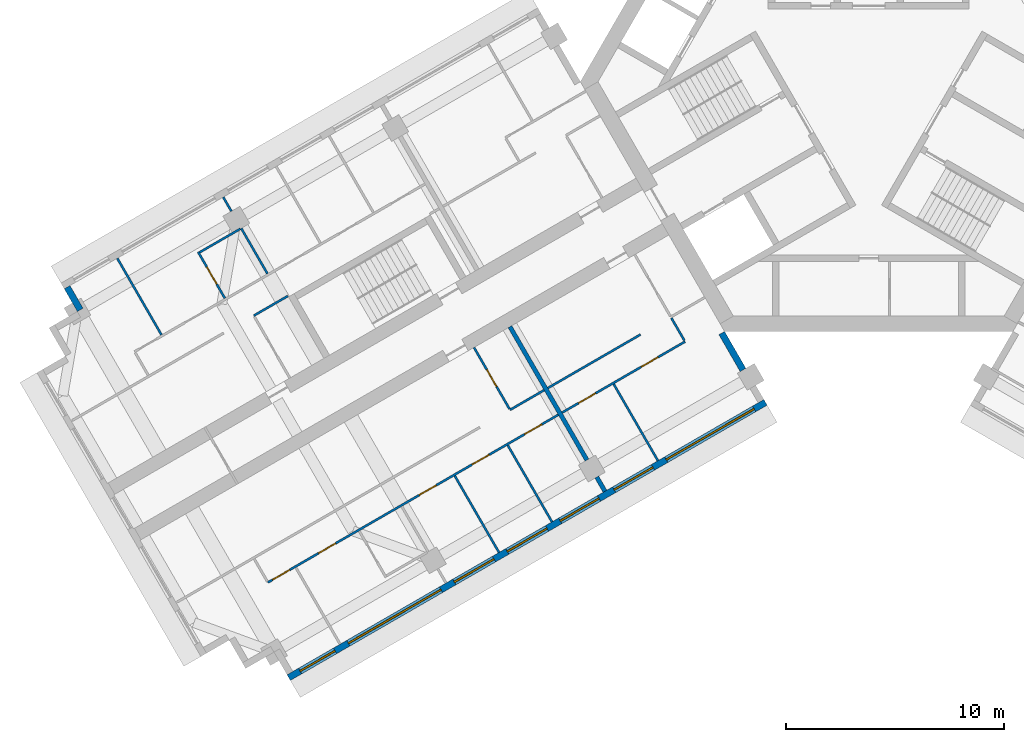
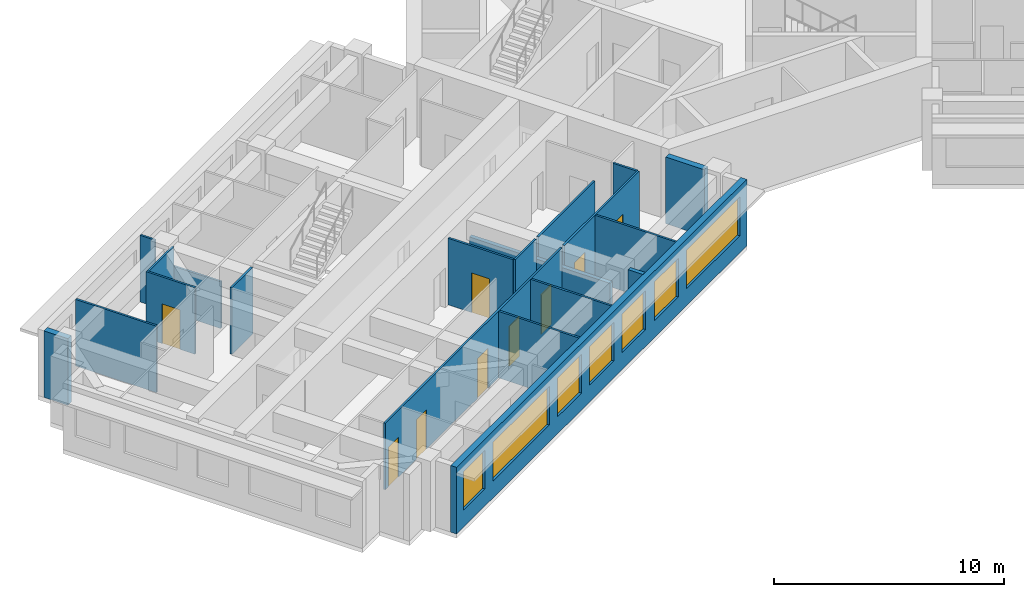
# One storey, part 3 of 12: 20 walls, 9 doors, 7 windows, 16 openings.
"""IFC4 building model written with IfcOpenShell, lengths in metres."""

from ifc_helpers import new_model, si_unit, direction, frame, frame_2d, origin, place, context, subcontext, project, spatial, rectangle, extrude, material, layer, layer_set, type_object, element, fill, save


model = new_model("IFC4")

# Units and contexts
model_context = context("Model", 3, precision=1e-05, world=origin(), true_north=direction((0.0, 1.0)))
body_context = subcontext(model_context, "Body", "Model", "MODEL_VIEW")
ifc_project = project(units=[si_unit("LENGTHUNIT", "METRE"), si_unit("AREAUNIT", "SQUARE_METRE"), si_unit("VOLUMEUNIT", "CUBIC_METRE"), si_unit("PLANEANGLEUNIT", "RADIAN"), si_unit("MASSUNIT", "GRAM", prefix="KILO")], contexts=[model_context])

# Site, building, storey
site_placement = place(None, origin())
site = spatial("IfcSite", under=ifc_project, at=site_placement, CompositionType="ELEMENT")
building_placement = place(site_placement, origin())
building = spatial("IfcBuilding", under=site, at=building_placement, Name="Impinga Residences", CompositionType="ELEMENT")
storey_placement = place(building_placement, frame((0.0, 0.0, 214.75)))
storey = spatial("IfcBuildingStorey", under=building, at=storey_placement, Name="L53", CompositionType="ELEMENT", Elevation=214.75)

# Walls
ifc_material_1 = material(Name="Terracotta rainscreen on blockwork", Category="masonry")
ifc_layer_1 = layer(ifc_material_1, 0.300048828125)
ifc_layer_set_1 = layer_set([ifc_layer_1], Name="EW1 external wall, terracotta rainscreen on blockwork 300")
wall_type_1 = type_object("IfcWallType", Name="EW1 external wall, terracotta rainscreen on blockwork 300", PredefinedType="SOLIDWALL", material=ifc_layer_set_1)
wall_1_placement = place(storey_placement, frame((-36.093994140625, -10.446533203125, 0.0), z_axis=(0.0, 0.0, 1.0), x_axis=(-0.499880961361, 0.866094119867, 0.0)))
element("IfcWall", 1, at=wall_1_placement, inside=storey, type_object=wall_type_1, Name="External wall EW1 L53", PredefinedType="SOLIDWALL", context=body_context, shape_type="SweptSolid", body=[
    extrude(rectangle(XDim=1.199951171875, YDim=0.300048828125, at=frame_2d((0.60009765625, 0.0))), origin(), (0.0, 0.0, 1.0), 3.530029296875),
])
wall_2_placement = place(storey_placement, frame((-6.72998046875, -11.506591796875, 0.0), z_axis=(0.0, 0.0, 1.0), x_axis=(0.500043961785, -0.866000020948, 0.0)))
element("IfcWall", 2, at=wall_2_placement, inside=storey, type_object=wall_type_1, Name="External wall EW1 L53", PredefinedType="SOLIDWALL", context=body_context, shape_type="SweptSolid", body=[
    extrude(rectangle(XDim=1.949951171875, YDim=0.300048828125, at=frame_2d((0.97509765625, 0.0))), origin(), (0.0, 0.0, 1.0), 3.530029296875),
])

# Wall, openings, windows
wall_3_placement = place(storey_placement, frame((-4.72509765625, -14.67919921875, 0.0), z_axis=(0.0, 0.0, 1.0), x_axis=(-0.866026832479, -0.499997525421, 0.0)))
wall_3 = element("IfcWall", 3, at=wall_3_placement, inside=storey, type_object=wall_type_1, Name="External wall EW1 L53", PredefinedType="SOLIDWALL", context=body_context, shape_type="SweptSolid", body=[
    extrude(rectangle(XDim=25.199951171875, YDim=0.300048828125, at=frame_2d((12.60009765625, 0.0))), origin(), (0.0, 0.0, 1.0), 3.530029296875),
])
opening_1_placement = place(wall_3_placement, frame((0.60009765625, 0.0, 0.89990234375)))
opening_1 = element("IfcOpeningElement", 4, at=opening_1_placement, cuts=wall_3, Name="Opening W10", PredefinedType="OPENING", context=body_context, shape_type="SweptSolid", body=[
    extrude(rectangle(XDim=4.64990234375, YDim=2.050048828125, at=frame_2d((2.324951171875, 1.02490234375))), frame((0.0, 0.159912109375, 0.0), z_axis=(0.0, -1.0, 0.0), x_axis=(1.0, 0.0, 0.0)), (0.0, 0.0, 1.0), 0.320068359375),
])
opening_2_placement = place(wall_3_placement, frame((5.949951171875, 0.0, 0.89990234375)))
opening_2 = element("IfcOpeningElement", 5, at=opening_2_placement, cuts=wall_3, Name="Opening W14", PredefinedType="OPENING", context=body_context, shape_type="SweptSolid", body=[
    extrude(rectangle(XDim=2.050048828125, YDim=2.050048828125, at=frame_2d((1.02490234375, 1.02490234375))), frame((0.0, 0.159912109375, 0.0), z_axis=(0.0, -1.0, 0.0), x_axis=(1.0, 0.0, 0.0)), (0.0, 0.0, 1.0), 0.320068359375),
])
opening_3_placement = place(wall_3_placement, frame((8.800048828125, 0.0, 0.89990234375)))
opening_3 = element("IfcOpeningElement", 6, at=opening_3_placement, cuts=wall_3, Name="Opening W14", PredefinedType="OPENING", context=body_context, shape_type="SweptSolid", body=[
    extrude(rectangle(XDim=2.050048828125, YDim=2.050048828125, at=frame_2d((1.02490234375, 1.02490234375))), frame((0.0, 0.159912109375, 0.0), z_axis=(0.0, -1.0, 0.0), x_axis=(1.0, 0.0, 0.0)), (0.0, 0.0, 1.0), 0.320068359375),
])
opening_4_placement = place(wall_3_placement, frame((11.550048828125, 0.0, 0.89990234375)))
opening_4 = element("IfcOpeningElement", 7, at=opening_4_placement, cuts=wall_3, Name="Opening W9", PredefinedType="OPENING", context=body_context, shape_type="SweptSolid", body=[
    extrude(rectangle(XDim=2.10009765625, YDim=2.050048828125, at=frame_2d((1.050048828125, 1.02490234375))), frame((0.0, 0.159912109375, 0.0), z_axis=(0.0, -1.0, 0.0), x_axis=(1.0, 0.0, 0.0)), (0.0, 0.0, 1.0), 0.320068359375),
])
opening_5_placement = place(wall_3_placement, frame((14.35009765625, 0.0, 0.89990234375)))
opening_5 = element("IfcOpeningElement", 8, at=opening_5_placement, cuts=wall_3, Name="Opening W9", PredefinedType="OPENING", context=body_context, shape_type="SweptSolid", body=[
    extrude(rectangle(XDim=2.10009765625, YDim=2.050048828125, at=frame_2d((1.050048828125, 1.02490234375))), frame((0.0, 0.159912109375, 0.0), z_axis=(0.0, -1.0, 0.0), x_axis=(1.0, 0.0, 0.0)), (0.0, 0.0, 1.0), 0.320068359375),
])
opening_6_placement = place(wall_3_placement, frame((17.14990234375, 0.0, 0.89990234375)))
opening_6 = element("IfcOpeningElement", 9, at=opening_6_placement, cuts=wall_3, Name="Opening W16", PredefinedType="OPENING", context=body_context, shape_type="SweptSolid", body=[
    extrude(rectangle(XDim=4.89990234375, YDim=2.050048828125, at=frame_2d((2.449951171875, 1.02490234375))), frame((0.0, 0.159912109375, 0.0), z_axis=(0.0, -1.0, 0.0), x_axis=(1.0, 0.0, 0.0)), (0.0, 0.0, 1.0), 0.320068359375),
])
opening_7_placement = place(wall_3_placement, frame((22.75, 0.0, 0.89990234375)))
opening_7 = element("IfcOpeningElement", 10, at=opening_7_placement, cuts=wall_3, Name="Opening W15", PredefinedType="OPENING", context=body_context, shape_type="SweptSolid", body=[
    extrude(rectangle(XDim=1.85009765625, YDim=2.050048828125, at=frame_2d((0.925048828125, 1.02490234375))), frame((0.0, 0.159912109375, 0.0), z_axis=(0.0, -1.0, 0.0), x_axis=(1.0, 0.0, 0.0)), (0.0, 0.0, 1.0), 0.320068359375),
])
ifc_material_2 = material(Name="Aluminium window, clear double glazing", Category="aluminium")
window_type_1 = type_object("IfcWindowType", Name="W10 ribbon window 4650x2050", PartitioningType="SINGLE_PANEL", PredefinedType="WINDOW", material=ifc_material_2)
window_1_placement = place(opening_1_placement, origin())
window_1 = element("IfcWindow", 11, at=window_1_placement, inside=storey, type_object=window_type_1, Name="Window L53", OverallHeight=2.050048828125, OverallWidth=4.64990234375, PartitioningType="SINGLE_PANEL", PredefinedType="WINDOW", context=body_context, shape_type="SweptSolid", body=[
    extrude(rectangle(XDim=4.64990234375, YDim=2.050048828125, at=frame_2d((2.324951171875, 1.02490234375))), frame((0.0, 0.030029296875, 0.0), z_axis=(0.0, -1.0, 0.0), x_axis=(1.0, 0.0, 0.0)), (0.0, 0.0, 1.0), 0.06005859375),
])
fill(opening_1, window_1)
window_type_2 = type_object("IfcWindowType", Name="W14 ribbon window 2050x2050", PartitioningType="SINGLE_PANEL", PredefinedType="WINDOW", material=ifc_material_2)
window_2_placement = place(opening_2_placement, origin())
window_2 = element("IfcWindow", 12, at=window_2_placement, inside=storey, type_object=window_type_2, Name="Window L53", OverallHeight=2.050048828125, OverallWidth=2.050048828125, PartitioningType="SINGLE_PANEL", PredefinedType="WINDOW", context=body_context, shape_type="SweptSolid", body=[
    extrude(rectangle(XDim=2.050048828125, YDim=2.050048828125, at=frame_2d((1.02490234375, 1.02490234375))), frame((0.0, 0.030029296875, 0.0), z_axis=(0.0, -1.0, 0.0), x_axis=(1.0, 0.0, 0.0)), (0.0, 0.0, 1.0), 0.06005859375),
])
fill(opening_2, window_2)
window_3_placement = place(opening_3_placement, origin())
window_3 = element("IfcWindow", 13, at=window_3_placement, inside=storey, type_object=window_type_2, Name="Window L53", OverallHeight=2.050048828125, OverallWidth=2.050048828125, PartitioningType="SINGLE_PANEL", PredefinedType="WINDOW", context=body_context, shape_type="SweptSolid", body=[
    extrude(rectangle(XDim=2.050048828125, YDim=2.050048828125, at=frame_2d((1.02490234375, 1.02490234375))), frame((0.0, 0.030029296875, 0.0), z_axis=(0.0, -1.0, 0.0), x_axis=(1.0, 0.0, 0.0)), (0.0, 0.0, 1.0), 0.06005859375),
])
fill(opening_3, window_3)
window_type_3 = type_object("IfcWindowType", Name="W15 ribbon window 1850x2050", PartitioningType="SINGLE_PANEL", PredefinedType="WINDOW", material=ifc_material_2)
window_4_placement = place(opening_7_placement, origin())
window_4 = element("IfcWindow", 14, at=window_4_placement, inside=storey, type_object=window_type_3, Name="Window L53", OverallHeight=2.050048828125, OverallWidth=1.85009765625, PartitioningType="SINGLE_PANEL", PredefinedType="WINDOW", context=body_context, shape_type="SweptSolid", body=[
    extrude(rectangle(XDim=1.85009765625, YDim=2.050048828125, at=frame_2d((0.925048828125, 1.02490234375))), frame((0.0, 0.030029296875, 0.0), z_axis=(0.0, -1.0, 0.0), x_axis=(1.0, 0.0, 0.0)), (0.0, 0.0, 1.0), 0.06005859375),
])
fill(opening_7, window_4)
window_type_4 = type_object("IfcWindowType", Name="W16 ribbon window 4900x2050", PartitioningType="SINGLE_PANEL", PredefinedType="WINDOW", material=ifc_material_2)
window_5_placement = place(opening_6_placement, origin())
window_5 = element("IfcWindow", 15, at=window_5_placement, inside=storey, type_object=window_type_4, Name="Window L53", OverallHeight=2.050048828125, OverallWidth=4.89990234375, PartitioningType="SINGLE_PANEL", PredefinedType="WINDOW", context=body_context, shape_type="SweptSolid", body=[
    extrude(rectangle(XDim=4.89990234375, YDim=2.050048828125, at=frame_2d((2.449951171875, 1.02490234375))), frame((0.0, 0.030029296875, 0.0), z_axis=(0.0, -1.0, 0.0), x_axis=(1.0, 0.0, 0.0)), (0.0, 0.0, 1.0), 0.06005859375),
])
fill(opening_6, window_5)
window_type_5 = type_object("IfcWindowType", Name="W9 ribbon window 2100x2050", PartitioningType="SINGLE_PANEL", PredefinedType="WINDOW", material=ifc_material_2)
window_6_placement = place(opening_4_placement, origin())
window_6 = element("IfcWindow", 16, at=window_6_placement, inside=storey, type_object=window_type_5, Name="Window L53", OverallHeight=2.050048828125, OverallWidth=2.10009765625, PartitioningType="SINGLE_PANEL", PredefinedType="WINDOW", context=body_context, shape_type="SweptSolid", body=[
    extrude(rectangle(XDim=2.10009765625, YDim=2.050048828125, at=frame_2d((1.050048828125, 1.02490234375))), frame((0.0, 0.030029296875, 0.0), z_axis=(0.0, -1.0, 0.0), x_axis=(1.0, 0.0, 0.0)), (0.0, 0.0, 1.0), 0.06005859375),
])
fill(opening_4, window_6)
window_7_placement = place(opening_5_placement, origin())
window_7 = element("IfcWindow", 17, at=window_7_placement, inside=storey, type_object=window_type_5, Name="Window L53", OverallHeight=2.050048828125, OverallWidth=2.10009765625, PartitioningType="SINGLE_PANEL", PredefinedType="WINDOW", context=body_context, shape_type="SweptSolid", body=[
    extrude(rectangle(XDim=2.10009765625, YDim=2.050048828125, at=frame_2d((1.050048828125, 1.02490234375))), frame((0.0, 0.030029296875, 0.0), z_axis=(0.0, -1.0, 0.0), x_axis=(1.0, 0.0, 0.0)), (0.0, 0.0, 1.0), 0.06005859375),
])
fill(opening_5, window_7)

# Wall
ifc_material_3 = material(Name="Gypsum board on steel studs", Category="steel")
ifc_layer_2 = layer(ifc_material_3, 0.10009765625)
ifc_layer_set_2 = layer_set([ifc_layer_2], Name="Gypsum board on steel studs")
wall_type_2 = type_object("IfcWallType", Name="IP1 partition 100", PredefinedType="PARTITIONING", material=ifc_layer_set_2)
wall_4_placement = place(storey_placement, frame((-10.444580078125, -11.57275390625, 0.0), z_axis=(0.0, 0.0, 1.0), x_axis=(-0.866023786258, -0.500002801628, 0.0)))
element("IfcWall", 18, at=wall_4_placement, inside=storey, type_object=wall_type_2, Name="Partition L53-WA1:DIV1", PredefinedType="PARTITIONING", context=body_context, shape_type="SweptSolid", body=[
    extrude(rectangle(XDim=4.89990234375, YDim=0.10009765625, at=frame_2d((2.449951171875, 0.0))), origin(), (0.0, 0.0, 1.0), 3.530029296875),
])

# Wall, openings, doors
wall_5_placement = place(storey_placement, frame((-8.408935546875, -11.8984375, 0.0), z_axis=(0.0, 0.0, 1.0), x_axis=(-0.866024837091, -0.50000098154, 0.0)))
wall_5 = element("IfcWall", 19, at=wall_5_placement, inside=storey, type_object=wall_type_2, Name="Partition L53-WA1:STRIP", PredefinedType="PARTITIONING", context=body_context, shape_type="SweptSolid", body=[
    extrude(rectangle(XDim=6.5, YDim=0.10009765625, at=frame_2d((3.25, 0.0))), origin(), (0.0, 0.0, 1.0), 3.530029296875),
])
opening_8_placement = place(wall_5_placement, frame((1.425048828125, 0.0, 0.0)))
opening_8 = element("IfcOpeningElement", 20, at=opening_8_placement, cuts=wall_5, Name="Opening D2", PredefinedType="OPENING", context=body_context, shape_type="SweptSolid", body=[
    extrude(rectangle(XDim=0.89990234375, YDim=2.10009765625, at=frame_2d((0.449951171875, 1.050048828125))), frame((0.0, 0.06005859375, 0.0), z_axis=(0.0, -1.0, 0.0), x_axis=(1.0, 0.0, 0.0)), (0.0, 0.0, 1.0), 0.1201171875),
])
opening_9_placement = place(wall_5_placement, frame((4.72509765625, 0.0, 0.0)))
opening_9 = element("IfcOpeningElement", 21, at=opening_9_placement, cuts=wall_5, Name="Opening D2", PredefinedType="OPENING", context=body_context, shape_type="SweptSolid", body=[
    extrude(rectangle(XDim=0.89990234375, YDim=2.10009765625, at=frame_2d((0.449951171875, 1.050048828125))), frame((0.0, 0.06005859375, 0.0), z_axis=(0.0, -1.0, 0.0), x_axis=(1.0, 0.0, 0.0)), (0.0, 0.0, 1.0), 0.1201171875),
])
ifc_material_4 = material(Name="Timber door set", Category="wood")
door_type = type_object("IfcDoorType", Name="D2 internal door 900x2100", OperationType="SINGLE_SWING_LEFT", PredefinedType="DOOR", material=ifc_material_4)
door_1_placement = place(opening_8_placement, origin())
door_1 = element("IfcDoor", 22, at=door_1_placement, inside=storey, type_object=door_type, Name="Apartment L53-WA1 room door", OperationType="SINGLE_SWING_LEFT", OverallHeight=2.10009765625, OverallWidth=0.89990234375, PredefinedType="DOOR", context=body_context, shape_type="SweptSolid", body=[
    extrude(rectangle(XDim=0.89990234375, YDim=2.10009765625, at=frame_2d((0.449951171875, 1.050048828125))), frame((0.0, 0.02490234375, 0.0), z_axis=(0.0, -1.0, 0.0), x_axis=(1.0, 0.0, 0.0)), (0.0, 0.0, 1.0), 0.050048828125),
])
fill(opening_8, door_1)
door_2_placement = place(opening_9_placement, origin())
door_2 = element("IfcDoor", 23, at=door_2_placement, inside=storey, type_object=door_type, Name="Apartment L53-WA1 room door", OperationType="SINGLE_SWING_RIGHT", OverallHeight=2.10009765625, OverallWidth=0.89990234375, PredefinedType="DOOR", context=body_context, shape_type="SweptSolid", body=[
    extrude(rectangle(XDim=0.89990234375, YDim=2.10009765625, at=frame_2d((0.449951171875, 1.050048828125))), frame((0.0, 0.02490234375, 0.0), z_axis=(0.0, -1.0, 0.0), x_axis=(1.0, 0.0, 0.0)), (0.0, 0.0, 1.0), 0.050048828125),
])
fill(opening_9, door_2)

# Walls
wall_6_placement = place(storey_placement, frame((-9.033935546875, -10.81591796875, 0.0), z_axis=(0.0, 0.0, 1.0), x_axis=(0.500033551112, -0.866006032174, 0.0)))
element("IfcWall", 24, at=wall_6_placement, inside=storey, type_object=wall_type_2, Name="Partition L53-WA1:SE0", PredefinedType="PARTITIONING", context=body_context, shape_type="SweptSolid", body=[
    extrude(rectangle(XDim=1.2001953125, YDim=0.10009765625, at=frame_2d((0.60009765625, 0.0))), origin(), (0.0, 0.0, 1.0), 3.530029296875),
])
wall_7_placement = place(storey_placement, frame((-11.6748046875, -13.841796875, 0.0), z_axis=(0.0, 0.0, 1.0), x_axis=(0.500035537042, -0.866004885491, 0.0)))
element("IfcWall", 25, at=wall_7_placement, inside=storey, type_object=wall_type_2, Name="Partition L53-WA1:OB1", PredefinedType="PARTITIONING", context=body_context, shape_type="SweptSolid", body=[
    extrude(rectangle(XDim=4.050048828125, YDim=0.10009765625, at=frame_2d((2.02490234375, 0.0))), origin(), (0.0, 0.0, 1.0), 3.530029296875),
])
wall_8_placement = place(storey_placement, frame((-14.861328125, -14.122802734375, 0.0), z_axis=(0.0, 0.0, 1.0), x_axis=(-0.866047807691, -0.499961193289, 0.0)))
element("IfcWall", 26, at=wall_8_placement, inside=storey, type_object=wall_type_2, Name="Partition L53-WA2:DIV0", PredefinedType="PARTITIONING", context=body_context, shape_type="SweptSolid", body=[
    extrude(rectangle(XDim=1.800048828125, YDim=0.10009765625, at=frame_2d((0.89990234375, 0.0))), origin(), (0.0, 0.0, 1.0), 3.530029296875),
])

# Wall, openings, doors
wall_9_placement = place(storey_placement, frame((-14.211181640625, -15.24853515625, 0.0), z_axis=(0.0, 0.0, 1.0), x_axis=(-0.866023490266, -0.500003314297, 0.0)))
wall_9 = element("IfcWall", 27, at=wall_9_placement, inside=storey, type_object=wall_type_2, Name="Partition L53-WA2:STRIP", PredefinedType="PARTITIONING", context=body_context, shape_type="SweptSolid", body=[
    extrude(rectangle(XDim=15.35009765625, YDim=0.10009765625, at=frame_2d((7.675048828125, 0.0))), origin(), (0.0, 0.0, 1.0), 3.530029296875),
])
opening_10_placement = place(wall_9_placement, frame((0.875, 0.0, 0.0)))
opening_10 = element("IfcOpeningElement", 28, at=opening_10_placement, cuts=wall_9, Name="Opening D2", PredefinedType="OPENING", context=body_context, shape_type="SweptSolid", body=[
    extrude(rectangle(XDim=0.89990234375, YDim=2.10009765625, at=frame_2d((0.449951171875, 1.050048828125))), frame((0.0, 0.06005859375, 0.0), z_axis=(0.0, -1.0, 0.0), x_axis=(1.0, 0.0, 0.0)), (0.0, 0.0, 1.0), 0.1201171875),
])
opening_11_placement = place(wall_9_placement, frame((3.64990234375, 0.0, 0.0)))
opening_11 = element("IfcOpeningElement", 29, at=opening_11_placement, cuts=wall_9, Name="Opening D2", PredefinedType="OPENING", context=body_context, shape_type="SweptSolid", body=[
    extrude(rectangle(XDim=0.89990234375, YDim=2.10009765625, at=frame_2d((0.449951171875, 1.050048828125))), frame((0.0, 0.06005859375, 0.0), z_axis=(0.0, -1.0, 0.0), x_axis=(1.0, 0.0, 0.0)), (0.0, 0.0, 1.0), 0.1201171875),
])
opening_12_placement = place(wall_9_placement, frame((6.449951171875, 0.0, 0.0)))
opening_12 = element("IfcOpeningElement", 30, at=opening_12_placement, cuts=wall_9, Name="Opening D2", PredefinedType="OPENING", context=body_context, shape_type="SweptSolid", body=[
    extrude(rectangle(XDim=0.89990234375, YDim=2.10009765625, at=frame_2d((0.449951171875, 1.050048828125))), frame((0.0, 0.06005859375, 0.0), z_axis=(0.0, -1.0, 0.0), x_axis=(1.0, 0.0, 0.0)), (0.0, 0.0, 1.0), 0.1201171875),
])
opening_13_placement = place(wall_9_placement, frame((11.77490234375, 0.0, 0.0)))
opening_13 = element("IfcOpeningElement", 31, at=opening_13_placement, cuts=wall_9, Name="Opening D2", PredefinedType="OPENING", context=body_context, shape_type="SweptSolid", body=[
    extrude(rectangle(XDim=0.89990234375, YDim=2.10009765625, at=frame_2d((0.449951171875, 1.050048828125))), frame((0.0, 0.06005859375, 0.0), z_axis=(0.0, -1.0, 0.0), x_axis=(1.0, 0.0, 0.0)), (0.0, 0.0, 1.0), 0.1201171875),
])
opening_14_placement = place(wall_9_placement, frame((14.199951171875, 0.0, 0.0)))
opening_14 = element("IfcOpeningElement", 32, at=opening_14_placement, cuts=wall_9, Name="Opening D2", PredefinedType="OPENING", context=body_context, shape_type="SweptSolid", body=[
    extrude(rectangle(XDim=0.89990234375, YDim=2.10009765625, at=frame_2d((0.449951171875, 1.050048828125))), frame((0.0, 0.06005859375, 0.0), z_axis=(0.0, -1.0, 0.0), x_axis=(1.0, 0.0, 0.0)), (0.0, 0.0, 1.0), 0.1201171875),
])
door_3_placement = place(opening_10_placement, origin())
door_3 = element("IfcDoor", 33, at=door_3_placement, inside=storey, type_object=door_type, Name="Apartment L53-WA2 room door", OperationType="SINGLE_SWING_LEFT", OverallHeight=2.10009765625, OverallWidth=0.89990234375, PredefinedType="DOOR", context=body_context, shape_type="SweptSolid", body=[
    extrude(rectangle(XDim=0.89990234375, YDim=2.10009765625, at=frame_2d((0.449951171875, 1.050048828125))), frame((0.0, 0.02490234375, 0.0), z_axis=(0.0, -1.0, 0.0), x_axis=(1.0, 0.0, 0.0)), (0.0, 0.0, 1.0), 0.050048828125),
])
fill(opening_10, door_3)
door_4_placement = place(opening_11_placement, origin())
door_4 = element("IfcDoor", 34, at=door_4_placement, inside=storey, type_object=door_type, Name="Apartment L53-WA2 room door", OperationType="SINGLE_SWING_LEFT", OverallHeight=2.10009765625, OverallWidth=0.89990234375, PredefinedType="DOOR", context=body_context, shape_type="SweptSolid", body=[
    extrude(rectangle(XDim=0.89990234375, YDim=2.10009765625, at=frame_2d((0.449951171875, 1.050048828125))), frame((0.0, 0.02490234375, 0.0), z_axis=(0.0, -1.0, 0.0), x_axis=(1.0, 0.0, 0.0)), (0.0, 0.0, 1.0), 0.050048828125),
])
fill(opening_11, door_4)
door_5_placement = place(opening_12_placement, origin())
door_5 = element("IfcDoor", 35, at=door_5_placement, inside=storey, type_object=door_type, Name="Apartment L53-WA2 room door", OperationType="SINGLE_SWING_LEFT", OverallHeight=2.10009765625, OverallWidth=0.89990234375, PredefinedType="DOOR", context=body_context, shape_type="SweptSolid", body=[
    extrude(rectangle(XDim=0.89990234375, YDim=2.10009765625, at=frame_2d((0.449951171875, 1.050048828125))), frame((0.0, 0.02490234375, 0.0), z_axis=(0.0, -1.0, 0.0), x_axis=(1.0, 0.0, 0.0)), (0.0, 0.0, 1.0), 0.050048828125),
])
fill(opening_12, door_5)
door_6_placement = place(opening_13_placement, origin())
door_6 = element("IfcDoor", 36, at=door_6_placement, inside=storey, type_object=door_type, Name="Apartment L53-WA2 room door", OperationType="SINGLE_SWING_RIGHT", OverallHeight=2.10009765625, OverallWidth=0.89990234375, PredefinedType="DOOR", context=body_context, shape_type="SweptSolid", body=[
    extrude(rectangle(XDim=0.89990234375, YDim=2.10009765625, at=frame_2d((0.449951171875, 1.050048828125))), frame((0.0, 0.02490234375, 0.0), z_axis=(0.0, -1.0, 0.0), x_axis=(1.0, 0.0, 0.0)), (0.0, 0.0, 1.0), 0.050048828125),
])
fill(opening_13, door_6)
door_7_placement = place(opening_14_placement, origin())
door_7 = element("IfcDoor", 37, at=door_7_placement, inside=storey, type_object=door_type, Name="Apartment L53-WA2 room door", OperationType="SINGLE_SWING_RIGHT", OverallHeight=2.10009765625, OverallWidth=0.89990234375, PredefinedType="DOOR", context=body_context, shape_type="SweptSolid", body=[
    extrude(rectangle(XDim=0.89990234375, YDim=2.10009765625, at=frame_2d((0.449951171875, 1.050048828125))), frame((0.0, 0.02490234375, 0.0), z_axis=(0.0, -1.0, 0.0), x_axis=(1.0, 0.0, 0.0)), (0.0, 0.0, 1.0), 0.050048828125),
])
fill(opening_14, door_7)

# Wall, opening, door
wall_10_placement = place(storey_placement, frame((-18.070068359375, -12.164794921875, 0.0), z_axis=(0.0, 0.0, 1.0), x_axis=(0.499984717929, -0.866034226713, 0.0)))
wall_10 = element("IfcWall", 38, at=wall_10_placement, inside=storey, type_object=wall_type_2, Name="Partition L53-WA2:IB1", PredefinedType="PARTITIONING", context=body_context, shape_type="SweptSolid", body=[
    extrude(rectangle(XDim=3.25, YDim=0.10009765625, at=frame_2d((1.625, 0.0))), origin(), (0.0, 0.0, 1.0), 3.530029296875),
])
opening_15_placement = place(wall_10_placement, frame((1.175048828125, 0.0, 0.0)))
opening_15 = element("IfcOpeningElement", 39, at=opening_15_placement, cuts=wall_10, Name="Opening D2", PredefinedType="OPENING", context=body_context, shape_type="SweptSolid", body=[
    extrude(rectangle(XDim=0.89990234375, YDim=2.10009765625, at=frame_2d((0.449951171875, 1.050048828125))), frame((0.0, 0.06005859375, 0.0), z_axis=(0.0, -1.0, 0.0), x_axis=(1.0, 0.0, 0.0)), (0.0, 0.0, 1.0), 0.1201171875),
])
door_8_placement = place(opening_15_placement, origin())
door_8 = element("IfcDoor", 40, at=door_8_placement, inside=storey, type_object=door_type, Name="Apartment L53-WA2 bathroom door", OperationType="SINGLE_SWING_LEFT", OverallHeight=2.10009765625, OverallWidth=0.89990234375, PredefinedType="DOOR", context=body_context, shape_type="SweptSolid", body=[
    extrude(rectangle(XDim=0.89990234375, YDim=2.10009765625, at=frame_2d((0.449951171875, 1.050048828125))), frame((0.0, 0.02490234375, 0.0), z_axis=(0.0, -1.0, 0.0), x_axis=(1.0, 0.0, 0.0)), (0.0, 0.0, 1.0), 0.050048828125),
])
fill(opening_15, door_8)

# Walls
wall_11_placement = place(storey_placement, frame((-16.5244140625, -16.641845703125, 0.0), z_axis=(0.0, 0.0, 1.0), x_axis=(0.499990325971, -0.866030989016, 0.0)))
element("IfcWall", 41, at=wall_11_placement, inside=storey, type_object=wall_type_2, Name="Partition L53-WA2:OB1", PredefinedType="PARTITIONING", context=body_context, shape_type="SweptSolid", body=[
    extrude(rectangle(XDim=4.0498046875, YDim=0.10009765625, at=frame_2d((2.02490234375, 0.0))), origin(), (0.0, 0.0, 1.0), 3.530029296875),
])
wall_12_placement = place(storey_placement, frame((-18.949462890625, -18.041748046875, 0.0), z_axis=(0.0, 0.0, 1.0), x_axis=(0.50000943426, -0.866019956843, 0.0)))
element("IfcWall", 42, at=wall_12_placement, inside=storey, type_object=wall_type_2, Name="Partition L53-WA2:OB2", PredefinedType="PARTITIONING", context=body_context, shape_type="SweptSolid", body=[
    extrude(rectangle(XDim=4.05029296875, YDim=0.10009765625, at=frame_2d((2.025146484375, 0.0))), origin(), (0.0, 0.0, 1.0), 3.530029296875),
])
wall_13_placement = place(storey_placement, frame((-26.58935546875, -9.808837890625, 0.0), z_axis=(0.0, 0.0, 1.0), x_axis=(-0.866047807691, -0.499961193289, 0.0)))
element("IfcWall", 43, at=wall_13_placement, inside=storey, type_object=wall_type_2, Name="Partition L53-WF2:DIV1", PredefinedType="PARTITIONING", context=body_context, shape_type="SweptSolid", body=[
    extrude(rectangle(XDim=1.800048828125, YDim=0.10009765625, at=frame_2d((0.89990234375, 0.0))), origin(), (0.0, 0.0, 1.0), 3.530029296875),
])
wall_14_placement = place(storey_placement, frame((-27.524169921875, -8.789794921875, 0.0), z_axis=(0.0, 0.0, 1.0), x_axis=(-0.499957262057, 0.866050077142, 0.0)))
element("IfcWall", 44, at=wall_14_placement, inside=storey, type_object=wall_type_2, Name="Partition L53-WF2:OB3", PredefinedType="PARTITIONING", context=body_context, shape_type="SweptSolid", body=[
    extrude(rectangle(XDim=2.400146484375, YDim=0.10009765625, at=frame_2d((1.2001953125, 0.0))), origin(), (0.0, 0.0, 1.0), 2.47998046875),
])
wall_15_placement = place(storey_placement, frame((-29.17431640625, -5.931884765625, 0.0), z_axis=(0.0, 0.0, 1.0), x_axis=(-0.499919672301, 0.866071776036, 0.0)))
element("IfcWall", 45, at=wall_15_placement, inside=storey, type_object=wall_type_2, Name="Partition L53-WF2:OB3b", PredefinedType="PARTITIONING", context=body_context, shape_type="SweptSolid", body=[
    extrude(rectangle(XDim=0.75, YDim=0.10009765625, at=frame_2d((0.375, 0.0))), origin(), (0.0, 0.0, 1.0), 3.530029296875),
])
wall_16_placement = place(storey_placement, frame((-32.3740234375, -11.589599609375, 0.0), z_axis=(0.0, 0.0, 1.0), x_axis=(-0.499990325971, 0.866030989016, 0.0)))
element("IfcWall", 46, at=wall_16_placement, inside=storey, type_object=wall_type_2, Name="Partition L53-WF2:OB4", PredefinedType="PARTITIONING", context=body_context, shape_type="SweptSolid", body=[
    extrude(rectangle(XDim=4.0498046875, YDim=0.10009765625, at=frame_2d((2.02490234375, 0.0))), origin(), (0.0, 0.0, 1.0), 3.530029296875),
])

# Wall, opening, door
wall_17_placement = place(storey_placement, frame((-29.472900390625, -9.914794921875, 0.0), z_axis=(0.0, 0.0, 1.0), x_axis=(-0.499943856944, 0.866057815567, 0.0)))
wall_17 = element("IfcWall", 47, at=wall_17_placement, inside=storey, type_object=wall_type_2, Name="Partition L53-WF2:EN1", PredefinedType="PARTITIONING", context=body_context, shape_type="SweptSolid", body=[
    extrude(rectangle(XDim=2.449951171875, YDim=0.10009765625, at=frame_2d((1.22509765625, 0.0))), origin(), (0.0, 0.0, 1.0), 3.530029296875),
])
opening_16_placement = place(wall_17_placement, frame((0.75, 0.0, 0.0)))
opening_16 = element("IfcOpeningElement", 48, at=opening_16_placement, cuts=wall_17, Name="Opening D2", PredefinedType="OPENING", context=body_context, shape_type="SweptSolid", body=[
    extrude(rectangle(XDim=0.89990234375, YDim=2.10009765625, at=frame_2d((0.449951171875, 1.050048828125))), frame((0.0, 0.06005859375, 0.0), z_axis=(0.0, -1.0, 0.0), x_axis=(1.0, 0.0, 0.0)), (0.0, 0.0, 1.0), 0.1201171875),
])
door_9_placement = place(opening_16_placement, origin())
door_9 = element("IfcDoor", 49, at=door_9_placement, inside=storey, type_object=door_type, Name="Apartment L53-WF2 en-suite door", OperationType="SINGLE_SWING_LEFT", OverallHeight=2.10009765625, OverallWidth=0.89990234375, PredefinedType="DOOR", context=body_context, shape_type="SweptSolid", body=[
    extrude(rectangle(XDim=0.89990234375, YDim=2.10009765625, at=frame_2d((0.449951171875, 1.050048828125))), frame((0.0, 0.02490234375, 0.0), z_axis=(0.0, -1.0, 0.0), x_axis=(1.0, 0.0, 0.0)), (0.0, 0.0, 1.0), 0.050048828125),
])
fill(opening_16, door_9)

# Walls
wall_18_placement = place(storey_placement, frame((-28.767578125, -6.736328125, 0.0), z_axis=(0.0, 0.0, 1.0), x_axis=(-0.866019166195, -0.500010803666, 0.0)))
element("IfcWall", 50, at=wall_18_placement, inside=storey, type_object=wall_type_2, Name="Partition L53-WF2:EN2", PredefinedType="PARTITIONING", context=body_context, shape_type="SweptSolid", body=[
    extrude(rectangle(XDim=2.14990234375, YDim=0.10009765625, at=frame_2d((1.074951171875, 0.0))), origin(), (0.0, 0.0, 1.0), 3.530029296875),
])
ifc_material_5 = material(Name="Concrete blockwork", Category="masonry")
ifc_layer_3 = layer(ifc_material_5, 0.199951171875)
ifc_layer_set_3 = layer_set([ifc_layer_3], Name="PW1 party wall between apartments 200")
wall_type_3 = type_object("IfcWallType", Name="PW1 party wall between apartments 200", PredefinedType="SOLIDWALL", material=ifc_layer_set_3)
wall_19_placement = place(storey_placement, frame((-16.424560546875, -11.21484375, 0.0), z_axis=(0.0, 0.0, 1.0), x_axis=(0.499990246421, -0.866031034943, 0.0)))
element("IfcWall", 51, at=wall_19_placement, inside=storey, type_object=wall_type_3, Name="Party wall between apartments L53-WA1:PARTY", PredefinedType="SOLIDWALL", context=body_context, shape_type="SweptSolid", body=[
    extrude(rectangle(XDim=7.050048828125, YDim=0.199951171875, at=frame_2d((3.52490234375, 0.0))), origin(), (0.0, 0.0, 1.0), 2.47998046875),
])
wall_20_placement = place(storey_placement, frame((-12.44970703125, -18.099609375, 0.0), z_axis=(0.0, 0.0, 1.0), x_axis=(0.499919672301, -0.866071776036, 0.0)))
element("IfcWall", 52, at=wall_20_placement, inside=storey, type_object=wall_type_3, Name="Party wall between apartments L53-WA1:PARTYb", PredefinedType="SOLIDWALL", context=body_context, shape_type="SweptSolid", body=[
    extrude(rectangle(XDim=0.75, YDim=0.199951171875, at=frame_2d((0.375, 0.0))), origin(), (0.0, 0.0, 1.0), 3.530029296875),
])

save(model, "model.ifc")
